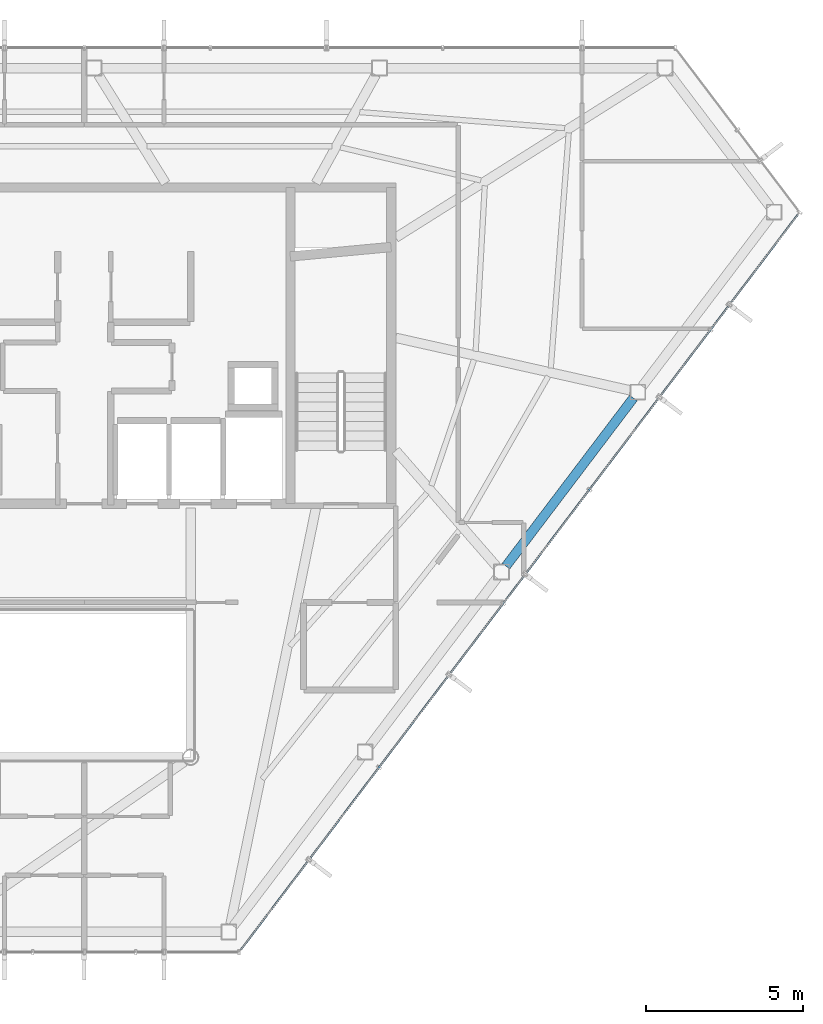
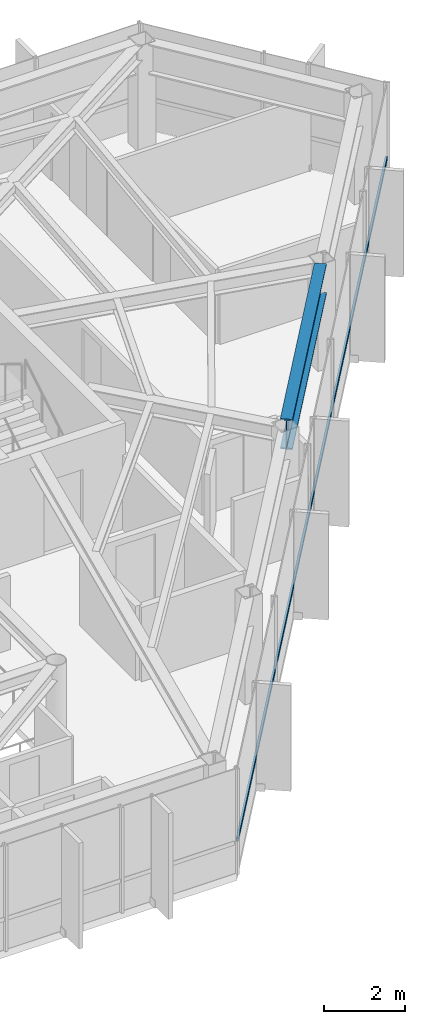
# One storey, part 16 of 26: 1 beam, 1 member, 1 element without a shape of its own.
"""IFC4 building model written with IfcOpenShell, lengths in metres."""

from ifc_helpers import new_model, si_unit, direction, frame, origin, origin_2d, place, context, subcontext, project, spatial, hollow_rectangle, i_section, extrude, material, layer, layer_set, material_profile, profile_set, type_object, element, aggregate, save


model = new_model("IFC4")

# Units and contexts
model_context = context("Model", 3, precision=1e-05, world=origin(), true_north=direction((0.0, 1.0)))
body_context = subcontext(model_context, "Body", "Model", "MODEL_VIEW")
ifc_project = project(units=[si_unit("LENGTHUNIT", "METRE"), si_unit("AREAUNIT", "SQUARE_METRE"), si_unit("VOLUMEUNIT", "CUBIC_METRE"), si_unit("PLANEANGLEUNIT", "RADIAN"), si_unit("MASSUNIT", "GRAM", prefix="KILO")], contexts=[model_context])

# Site, building, storey
site_placement = place(None, origin())
site = spatial("IfcSite", under=ifc_project, at=site_placement, CompositionType="ELEMENT")
building_placement = place(site_placement, origin())
building = spatial("IfcBuilding", under=site, at=building_placement, Name="Zarrinselat Tower", CompositionType="ELEMENT")
storey_placement = place(building_placement, frame((0.0, 0.0, 258.39990234375)))
storey = spatial("IfcBuildingStorey", under=building, at=storey_placement, Name="L65", CompositionType="ELEMENT", Elevation=258.39990234375)

# Beam
ifc_material_1 = material(Name="Steel S460M", Category="steel")
ifc_material_profile_1 = material_profile(ifc_material_1, i_section(OverallWidth=0.302001953125, OverallDepth=0.909912109375, WebThickness=0.02099609375, FlangeThickness=0.0400390625, at=origin_2d()), Name="HEM 900")
ifc_profile_set_1 = profile_set([ifc_material_profile_1], Name="Steel S460M")
beam_type = type_object("IfcBeamType", Name="BM-HEM900", PredefinedType="BEAM", material=ifc_profile_set_1)
beam_placement = place(storey_placement, frame((51.872802734375, 31.30712890625, 2.72509765625), z_axis=(0.603861177265, 0.797089504756, 0.0), x_axis=(-0.797089504756, 0.603861177265, 0.0)))
element("IfcBeam", 1, at=beam_placement, inside=storey, type_object=beam_type, Name="L65 Perimeter Spandrel Girder SP13", PredefinedType="BEAM", context=body_context, shape_type="SweptSolid", body=[
    extrude(i_section(OverallWidth=0.302001953125, OverallDepth=0.909912109375, WebThickness=0.02099609375, FlangeThickness=0.0400390625, at=origin_2d()), origin(), (0.0, 0.0, 1.0), 6.735595703125),
])

# Curtain wall, member
ifc_material_2 = material(Name="Extruded Aluminium Alloy EN AW-6063 T6", Category="aluminium")
ifc_layer = layer(ifc_material_2, 0.169921875)
ifc_layer_set = layer_set([ifc_layer], Name="Extruded Aluminium Alloy EN AW-6063 T6")
curtain_wall_type = type_object("IfcCurtainWallType", Name="CWS-RES", PredefinedType="NOTDEFINED", material=ifc_layer_set)
curtain_wall_placement = place(storey_placement, origin())
curtain_wall = element("IfcCurtainWall", 2, at=curtain_wall_placement, inside=storey, type_object=curtain_wall_type, Name="L65 Unitised Curtain Wall CW-L65-E05", PredefinedType="NOTDEFINED")
ifc_material_3 = material(Name="Extruded Aluminium Alloy EN AW-6063 T6", Category="aluminium")
ifc_material_profile_2 = material_profile(ifc_material_3, hollow_rectangle(XDim=0.06005859375, YDim=0.1201171875, WallThickness=0.00390625, at=origin_2d()), Name="RHS 120x60x4")
ifc_profile_set_2 = profile_set([ifc_material_profile_2], Name="Extruded Aluminium Alloy EN AW-6063 T6")
member_type = type_object("IfcMemberType", Name="MEM-CW-TRN2", PredefinedType="USERDEFINED", material=ifc_profile_set_2)
member_placement = place(storey_placement, frame((43.39697265625, 19.042724609375, 0.9501953125), z_axis=(0.603859282376, 0.797090940288, 0.0), x_axis=(-0.797090940288, 0.603859282376, 0.0)))
member = element("IfcMember", 3, at=member_placement, type_object=member_type, Name="CW-L65-E05 Transom 1", ObjectType="TRANSOM", PredefinedType="USERDEFINED", context=body_context, shape_type="SweptSolid", body=[
    extrude(hollow_rectangle(XDim=0.06005859375, YDim=0.1201171875, WallThickness=0.00390625, at=origin_2d()), origin(), (0.0, 0.0, 1.0), 29.481689453125),
])
aggregate(curtain_wall, [member])

save(model, "model.ifc")
